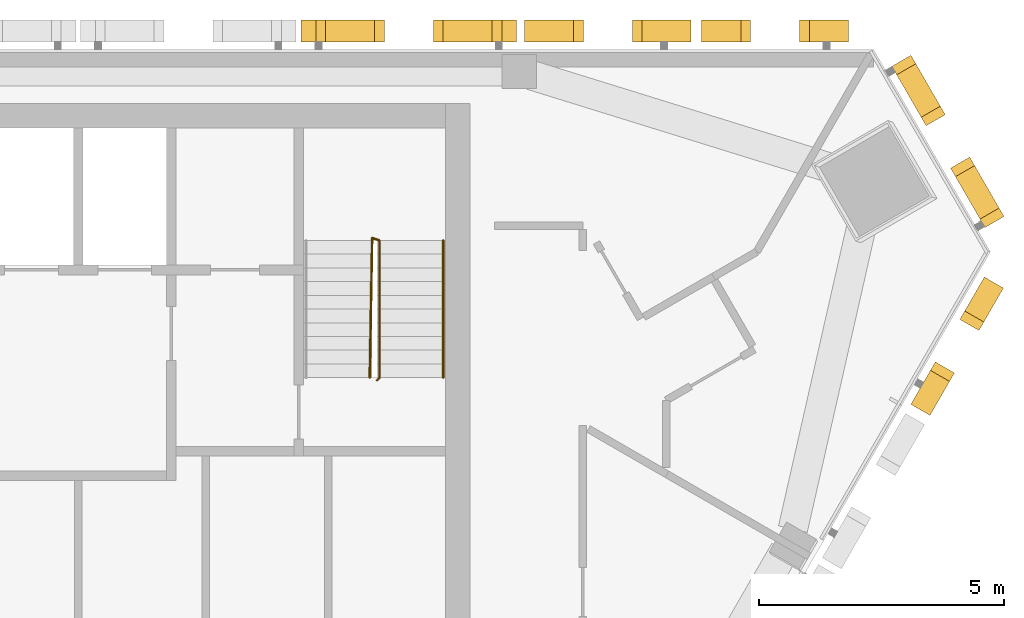
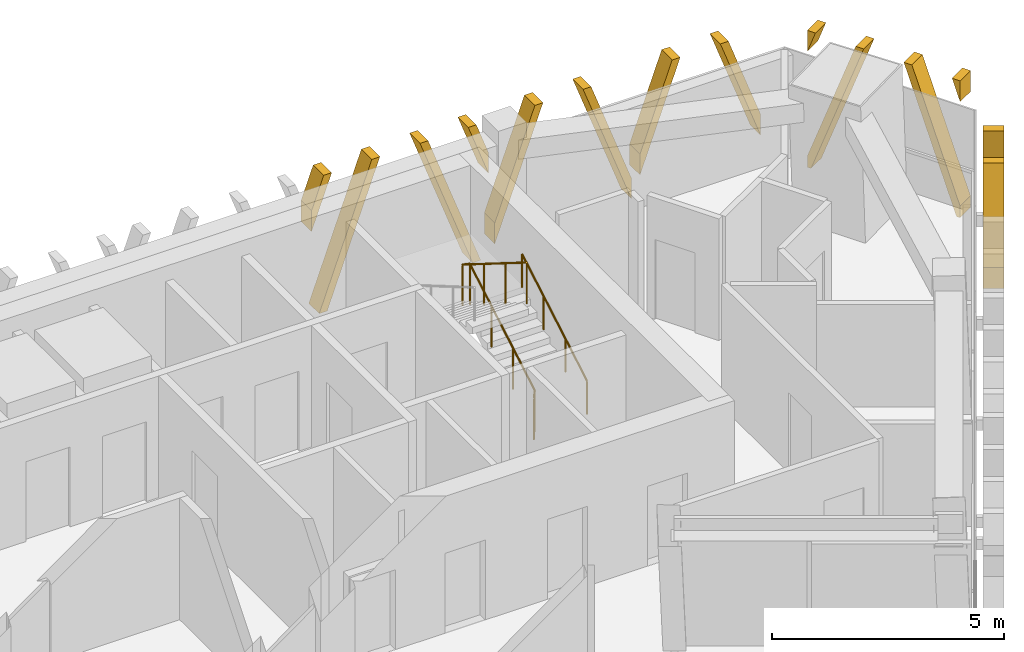
# One storey, part 13 of 14: 5 shading devices, 2 railings.
"""IFC4 building model written with IfcOpenShell, lengths in metres."""

from ifc_helpers import new_model, si_unit, direction, frame, origin, origin_2d, place, context, subcontext, project, spatial, polyline, circle, outline, extrude, source, transform, mapped, material, type_object, element, save


model = new_model("IFC4")

# Units and contexts
model_context = context("Model", 3, precision=1e-05, world=origin(), true_north=direction((0.0, 1.0)))
body_context = subcontext(model_context, "Body", "Model", "MODEL_VIEW")
ifc_project = project(units=[si_unit("LENGTHUNIT", "METRE"), si_unit("AREAUNIT", "SQUARE_METRE"), si_unit("VOLUMEUNIT", "CUBIC_METRE"), si_unit("PLANEANGLEUNIT", "RADIAN"), si_unit("MASSUNIT", "GRAM", prefix="KILO")], contexts=[model_context])

# Site, building, storey
site_placement = place(None, origin())
site = spatial("IfcSite", under=ifc_project, at=site_placement, CompositionType="ELEMENT")
building_placement = place(site_placement, origin())
building = spatial("IfcBuilding", under=site, at=building_placement, Name="Altiplano Prism Tower", CompositionType="ELEMENT")
storey_placement = place(building_placement, frame((0.0, 0.0, 271.60009765625)))
storey = spatial("IfcBuildingStorey", under=building, at=storey_placement, Name="L70", CompositionType="ELEMENT", Elevation=271.60009765625)

# Railings
ifc_material_1 = material(Name="Steel S355", Category="steel")
railing_type_1 = type_object("IfcRailingType", Name="Stair guard 1100", PredefinedType="GUARDRAIL", material=ifc_material_1)
railing_1_placement = place(storey_placement, frame((95.60009765625, 98.25, 0.0)))
element("IfcRailing", 1, at=railing_1_placement, inside=storey, type_object=railing_type_1, Name="L70 ST2 stair guard 1", PredefinedType="GUARDRAIL", context=body_context, shape_type="SweptSolid", body=[
    extrude(circle(Radius=0.02392578125, at=origin_2d()), frame((0.0, 0.0, 1.076171875), z_axis=(0.279546231943, 0.280916556609, 0.91811752648), x_axis=(-0.708833529934, 0.705375805398, 0.0)), (0.0, 0.0, 1.0), 0.17822265625),
    extrude(circle(Radius=0.02392578125, at=origin_2d()), frame((0.0498046875, 0.050048828125, 1.23974609375), z_axis=(0.0, 0.863393664356, 0.504530851732), x_axis=(-1.0, 0.0, 0.0)), (0.0, 0.0, 1.0), 3.2431640625),
    extrude(circle(Radius=0.02392578125, at=origin_2d()), frame((0.0498046875, 2.85009765625, 2.8759765625), z_axis=(-0.948991962702, 0.315300261223, 0.0), x_axis=(-0.315300261223, -0.948991962702, 0.0)), (0.0, 0.0, 1.0), 0.157958984375),
    extrude(circle(Radius=0.02392578125, at=origin_2d()), frame((-0.10009765625, 2.89990234375, 2.8759765625), z_axis=(-0.014846418356, -0.845376787675, 0.533964109957), x_axis=(0.999845825584, -0.017559187376, 0.0)), (0.0, 0.0, 1.0), 3.37109375),
    extrude(circle(Radius=0.02099609375, at=origin_2d()), origin(), (0.0, 0.0, 1.0), 1.052001953125),
    extrude(circle(Radius=0.02099609375, at=origin_2d()), frame((0.0498046875, 0.050048828125, 0.16357421875)), (0.0, 0.0, 1.0), 1.052001953125),
    extrude(circle(Radius=0.02099609375, at=origin_2d()), frame((0.0498046875, 0.9833984375, 0.708984375)), (0.0, 0.0, 1.0), 1.052001953125),
    extrude(circle(Radius=0.02099609375, at=origin_2d()), frame((0.0498046875, 1.916748046875, 1.25439453125)), (0.0, 0.0, 1.0), 1.052001953125),
    extrude(circle(Radius=0.02099609375, at=origin_2d()), frame((0.0498046875, 2.85009765625, 1.7998046875)), (0.0, 0.0, 1.0), 1.052001953125),
    extrude(circle(Radius=0.02099609375, at=origin_2d()), frame((-0.10009765625, 2.89990234375, 1.7998046875)), (0.0, 0.0, 1.0), 1.052001953125),
    extrude(circle(Radius=0.02099609375, at=origin_2d()), frame((-0.11669921875, 1.949951171875, 2.39990234375)), (0.0, 0.0, 1.0), 1.052001953125),
    extrude(circle(Radius=0.02099609375, at=origin_2d()), frame((-0.133544921875, 1.0, 2.999755859375)), (0.0, 0.0, 1.0), 1.052001953125),
    extrude(circle(Radius=0.02099609375, at=origin_2d()), frame((-0.150146484375, 0.050048828125, 3.599853515625)), (0.0, 0.0, 1.0), 1.052001953125),
])
railing_type_2 = type_object("IfcRailingType", Name="Stair handrail 900", PredefinedType="HANDRAIL", material=ifc_material_1)
railing_2_placement = place(storey_placement, frame((96.949951171875, 98.300048828125, 0.16357421875)))
element("IfcRailing", 2, at=railing_2_placement, inside=storey, type_object=railing_type_2, Name="L70 ST2 stair handrail 1", PredefinedType="HANDRAIL", context=body_context, shape_type="SweptSolid", body=[
    extrude(circle(Radius=0.02392578125, at=origin_2d()), frame((0.0, 0.0, 0.8759765625), z_axis=(0.0, 0.863393664356, 0.504530851732), x_axis=(-1.0, 0.0, 0.0)), (0.0, 0.0, 1.0), 3.2431640625),
    extrude(circle(Radius=0.02099609375, at=origin_2d()), origin(), (0.0, 0.0, 1.0), 0.851806640625),
    extrude(circle(Radius=0.02099609375, at=origin_2d()), frame((0.0, 0.933349609375, 0.54541015625)), (0.0, 0.0, 1.0), 0.851806640625),
    extrude(circle(Radius=0.02099609375, at=origin_2d()), frame((0.0, 1.86669921875, 1.0908203125)), (0.0, 0.0, 1.0), 0.851806640625),
    extrude(circle(Radius=0.02099609375, at=origin_2d()), frame((0.0, 2.800048828125, 1.63623046875)), (0.0, 0.0, 1.0), 0.851806640625),
])

# Shading devices
ifc_material_2 = material(Name="Warm limestone cast stone", Category="masonry")
shading_device_type_1 = type_object("IfcShadingDeviceType", Name="Stone fin panel, standard unit", PredefinedType="USERDEFINED", material=ifc_material_2)
shared_shape_1 = source(origin(), body_context, "Body", "SweptSolid", [
    extrude(outline(polyline([(-2.199951171875, 2.226318359375), (-1.699951171875, 3.60009765625), (-1.89990234375, 3.60009765625), (-2.199951171875, 2.77587890625), (-2.199951171875, 2.226318359375)])), frame((0.0, -0.14990234375, 0.0), z_axis=(0.0, -1.0, 0.0), x_axis=(1.0, 0.0, 0.0)), (0.0, 0.0, 1.0), 0.4501953125),
    extrude(outline(polyline([(-2.01025390625, 0.0), (-1.810302734375, 0.0), (-0.5, 3.60009765625), (-0.699951171875, 3.60009765625), (-2.01025390625, 0.0)])), frame((0.0, -0.14990234375, 0.0), z_axis=(0.0, -1.0, 0.0), x_axis=(1.0, 0.0, 0.0)), (0.0, 0.0, 1.0), 0.4501953125),
    extrude(outline(polyline([(1.810302734375, 0.0), (2.01025390625, 0.0), (0.699951171875, 3.60009765625), (0.5, 3.60009765625), (1.810302734375, 0.0)])), frame((0.0, -0.14990234375, 0.0), z_axis=(0.0, -1.0, 0.0), x_axis=(1.0, 0.0, 0.0)), (0.0, 0.0, 1.0), 0.4501953125),
    extrude(outline(polyline([(2.199951171875, 2.77587890625), (1.89990234375, 3.60009765625), (1.699951171875, 3.60009765625), (2.199951171875, 2.226318359375), (2.199951171875, 2.77587890625)])), frame((0.0, -0.14990234375, 0.0), z_axis=(0.0, -1.0, 0.0), x_axis=(1.0, 0.0, 0.0)), (0.0, 0.0, 1.0), 0.4501953125),
])
shading_device_1_placement = place(storey_placement, origin())
element("IfcShadingDevice", 3, at=shading_device_1_placement, inside=storey, type_object=shading_device_type_1, Name="Fin L70 north face 3", ObjectType="FIN", PredefinedType="USERDEFINED", context=body_context, shape_type="MappedRepresentation", body=[
    mapped(shared_shape_1, transform((96.25, 105.0, -0.400146484375), x_axis=(-1.0, 0.0, 0.0), y_axis=(0.0, -1.0, 0.0), z_axis=(0.0, 0.0, 1.0))),
])
shading_device_type_2 = type_object("IfcShadingDeviceType", Name="Stone fin panel, narrow closing bay", PredefinedType="USERDEFINED", material=ifc_material_2)
shared_shape_2 = source(origin(), body_context, "Body", "SweptSolid", [
    extrude(outline(polyline([(-1.699951171875, 0.302978515625), (-0.5, 3.60009765625), (-0.699951171875, 3.60009765625), (-1.699951171875, 0.8525390625), (-1.699951171875, 0.302978515625)])), frame((0.0, -0.14990234375, 0.0), z_axis=(0.0, -1.0, 0.0), x_axis=(1.0, 0.0, 0.0)), (0.0, 0.0, 1.0), 0.4501953125),
    extrude(outline(polyline([(1.699951171875, 0.8525390625), (0.699951171875, 3.60009765625), (0.5, 3.60009765625), (1.699951171875, 0.302978515625), (1.699951171875, 0.8525390625)])), frame((0.0, -0.14990234375, 0.0), z_axis=(0.0, -1.0, 0.0), x_axis=(1.0, 0.0, 0.0)), (0.0, 0.0, 1.0), 0.4501953125),
])
shading_device_2_placement = place(storey_placement, origin())
element("IfcShadingDevice", 4, at=shading_device_2_placement, inside=storey, type_object=shading_device_type_2, Name="Fin L70 north face 2", ObjectType="FIN", PredefinedType="USERDEFINED", context=body_context, shape_type="MappedRepresentation", body=[
    mapped(shared_shape_2, transform((100.308349609375, 105.0, -0.400146484375), x_axis=(-1.0, 0.0, 0.0), y_axis=(0.0, -1.0, 0.0), z_axis=(0.0, 0.0, 1.0))),
])
shading_device_type_3 = type_object("IfcShadingDeviceType", Name="Stone fin panel, chamfer unit", PredefinedType="USERDEFINED", material=ifc_material_2)
shared_shape_3 = source(origin(), body_context, "Body", "SweptSolid", [
    extrude(outline(polyline([(-1.89990234375, 0.0), (-1.810302734375, 0.0), (-0.5, 3.60009765625), (-0.699951171875, 3.60009765625), (-1.89990234375, 0.302978515625), (-1.89990234375, 0.0)])), frame((0.0, -0.14990234375, 0.0), z_axis=(0.0, -1.0, 0.0), x_axis=(1.0, 0.0, 0.0)), (0.0, 0.0, 1.0), 0.4501953125),
    extrude(outline(polyline([(-1.89990234375, 3.050537109375), (-1.699951171875, 3.60009765625), (-1.89990234375, 3.60009765625), (-1.89990234375, 3.050537109375)])), frame((0.0, -0.14990234375, 0.0), z_axis=(0.0, -1.0, 0.0), x_axis=(1.0, 0.0, 0.0)), (0.0, 0.0, 1.0), 0.4501953125),
    extrude(outline(polyline([(1.810302734375, 0.0), (1.89990234375, 0.0), (1.89990234375, 0.302978515625), (0.699951171875, 3.60009765625), (0.5, 3.60009765625), (1.810302734375, 0.0)])), frame((0.0, -0.14990234375, 0.0), z_axis=(0.0, -1.0, 0.0), x_axis=(1.0, 0.0, 0.0)), (0.0, 0.0, 1.0), 0.4501953125),
    extrude(outline(polyline([(1.89990234375, 3.60009765625), (1.699951171875, 3.60009765625), (1.89990234375, 3.050537109375), (1.89990234375, 3.60009765625)])), frame((0.0, -0.14990234375, 0.0), z_axis=(0.0, -1.0, 0.0), x_axis=(1.0, 0.0, 0.0)), (0.0, 0.0, 1.0), 0.4501953125),
])
shading_device_3_placement = place(storey_placement, origin())
element("IfcShadingDevice", 5, at=shading_device_3_placement, inside=storey, type_object=shading_device_type_3, Name="Fin L70 north-east chamfer 1", ObjectType="FIN", PredefinedType="USERDEFINED", context=body_context, shape_type="MappedRepresentation", body=[
    mapped(shared_shape_3, transform((106.925537109375, 102.934326171875, -0.400146484375), x_axis=(-0.500000034067, 0.866025384116, 0.0), y_axis=(-0.866025384116, -0.500000034067, 0.0), z_axis=(0.0, 0.0, 1.0))),
])
shared_shape_4 = source(origin(), body_context, "Body", "SweptSolid", [
    extrude(outline(polyline([(-1.5, 0.8525390625), (-0.5, 3.60009765625), (-0.699951171875, 3.60009765625), (-1.5, 1.402099609375), (-1.5, 0.8525390625)])), frame((0.0, -0.14990234375, 0.0), z_axis=(0.0, -1.0, 0.0), x_axis=(1.0, 0.0, 0.0)), (0.0, 0.0, 1.0), 0.4501953125),
    extrude(outline(polyline([(1.5, 1.402099609375), (0.699951171875, 3.60009765625), (0.5, 3.60009765625), (1.5, 0.8525390625), (1.5, 1.402099609375)])), frame((0.0, -0.14990234375, 0.0), z_axis=(0.0, -1.0, 0.0), x_axis=(1.0, 0.0, 0.0)), (0.0, 0.0, 1.0), 0.4501953125),
])
shading_device_4_placement = place(storey_placement, origin())
element("IfcShadingDevice", 6, at=shading_device_4_placement, inside=storey, type_object=shading_device_type_2, Name="Fin L70 north face 1", ObjectType="FIN", PredefinedType="USERDEFINED", context=body_context, shape_type="MappedRepresentation", body=[
    mapped(shared_shape_4, transform((103.724853515625, 105.0, -0.400146484375), x_axis=(-1.0, 0.0, 0.0), y_axis=(0.0, -1.0, 0.0), z_axis=(0.0, 0.0, 1.0))),
])
shading_device_5_placement = place(storey_placement, origin())
element("IfcShadingDevice", 7, at=shading_device_5_placement, inside=storey, type_object=shading_device_type_2, Name="Fin L70 south-east face 10", ObjectType="FIN", PredefinedType="USERDEFINED", context=body_context, shape_type="MappedRepresentation", body=[
    mapped(shared_shape_4, transform((107.114013671875, 99.129638671875, -0.400146484375), x_axis=(0.499999994108, 0.866025407186, 0.0), y_axis=(-0.866025407186, 0.499999994108, 0.0), z_axis=(0.0, 0.0, 1.0))),
])

save(model, "model.ifc")
